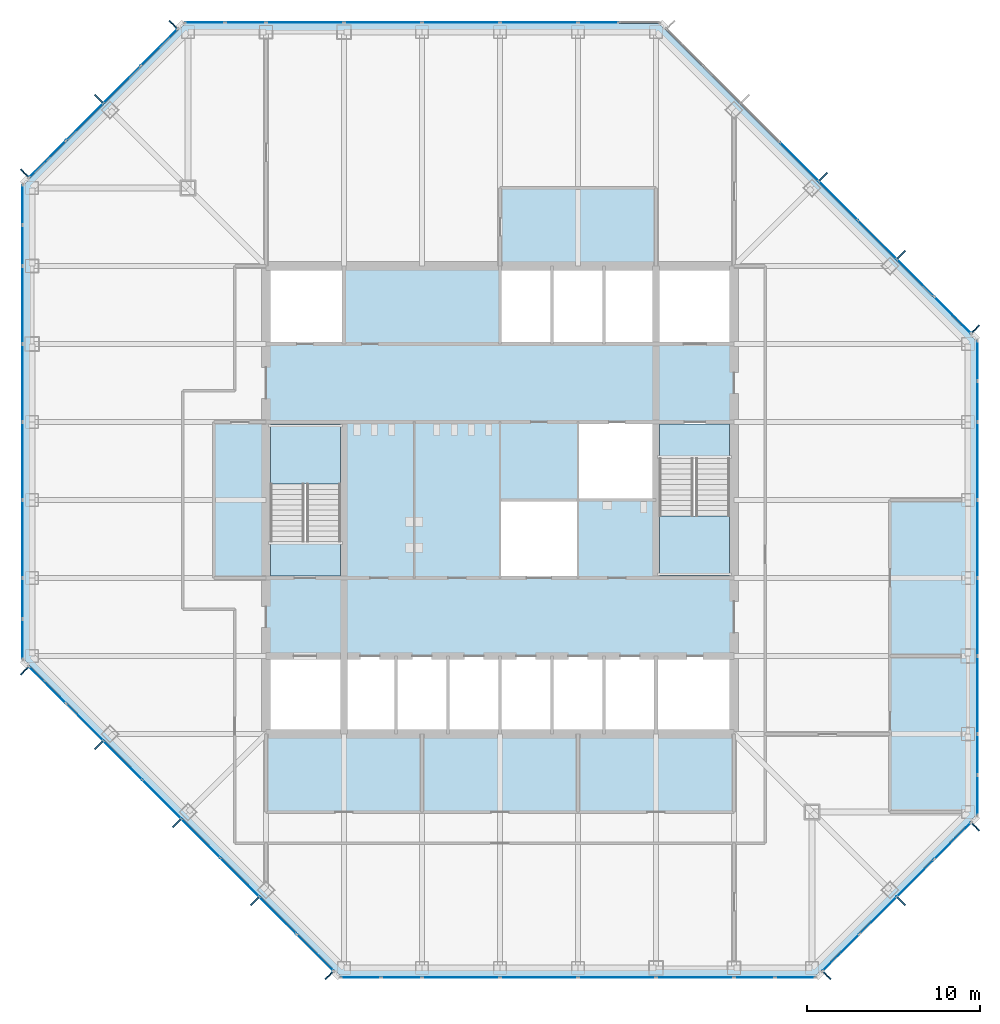
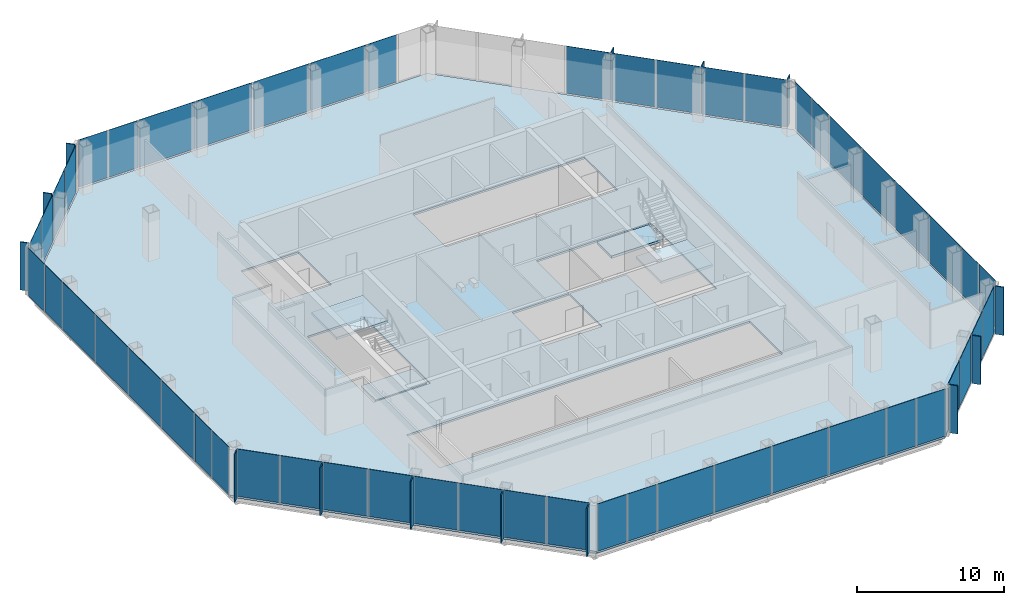
# One storey, part 7 of 12: 66 plates, 5 slabs, 10 elements without a shape of their own.
"""IFC4 building model written with IfcOpenShell, lengths in metres."""

from ifc_helpers import new_model, si_unit, direction, frame, origin, origin_2d, place, context, subcontext, project, spatial, polyline, rectangle, outline, extrude, material, layer, layer_set, type_object, element, aggregate, save


model = new_model("IFC4")

# Units and contexts
model_context = context("Model", 3, precision=1e-05, world=origin(), true_north=direction((0.0, 1.0)))
body_context = subcontext(model_context, "Body", "Model", "MODEL_VIEW")
ifc_project = project(units=[si_unit("LENGTHUNIT", "METRE"), si_unit("AREAUNIT", "SQUARE_METRE"), si_unit("VOLUMEUNIT", "CUBIC_METRE"), si_unit("PLANEANGLEUNIT", "RADIAN"), si_unit("MASSUNIT", "GRAM", prefix="KILO")], contexts=[model_context])

# Site, building, storey
site_placement = place(None, origin())
site = spatial("IfcSite", under=ifc_project, at=site_placement, CompositionType="ELEMENT")
building_placement = place(site_placement, origin())
building = spatial("IfcBuilding", under=site, at=building_placement, Name="Corais Broadcast Tower", CompositionType="ELEMENT")
storey_placement = place(building_placement, frame((0.0, 0.0, 139.60009765625)))
storey = spatial("IfcBuildingStorey", under=building, at=storey_placement, Name="L31", CompositionType="ELEMENT", Elevation=139.60009765625)

# Slab
ifc_material_1 = material(Name="Concrete C30/37", Category="concrete")
ifc_layer_1 = layer(ifc_material_1, 0.159912109375)
ifc_layer_set_1 = layer_set([ifc_layer_1], Name="Concrete C30/37")
slab_type_1 = type_object("IfcSlabType", Name="Composite floor slab 160", PredefinedType="FLOOR", material=ifc_layer_set_1)
slab_1_placement = place(storey_placement, frame((0.0, 0.0, -0.16015625)))
element("IfcSlab", 1, at=slab_1_placement, inside=storey, type_object=slab_type_1, Name="S160 floor slab L31", PredefinedType="FLOOR", context=body_context, shape_type="SweptSolid", body=[
    extrude(outline(polyline([(17.80126953125, -0.47998046875), (-0.47998046875, 17.80126953125), (-0.47998046875, 45.19873046875), (8.80126953125, 54.47998046875), (36.19873046875, 54.47998046875), (54.47998046875, 36.19873046875), (54.47998046875, 8.80126953125), (45.19873046875, -0.47998046875), (17.80126953125, -0.47998046875)]), holes=[polyline([(13.5, 18.0), (40.5, 18.0), (40.5, 13.5), (13.5, 13.5), (13.5, 18.0)]), polyline([(18.0, 22.5), (13.5, 22.5), (13.5, 31.5), (18.0, 31.5), (18.0, 22.5)]), polyline([(18.0, 36.0), (13.5, 36.0), (13.5, 40.5), (18.0, 40.5), (18.0, 36.0)]), polyline([(31.5, 22.5), (27.0, 22.5), (27.0, 27.0), (31.4951171875, 27.0), (31.4951171875, 27.0048828125), (31.5, 27.0048828125), (31.5, 31.5), (40.5, 31.5), (40.5, 22.5), (36.0, 22.5), (36.0, 27.0), (31.5048828125, 27.0), (31.5048828125, 26.9951171875), (31.5, 26.9951171875), (31.5, 22.5)]), polyline([(27.0, 40.5), (40.5, 40.5), (40.5, 36.0), (27.0, 36.0), (27.0, 40.5)])]), origin(), (0.0, 0.0, 1.0), 0.16015625),
])

# Curtain wall, plates
ifc_material_2 = material(Name="Aluminium and glass", Category="aluminium")
curtain_wall_type = type_object("IfcCurtainWallType", Name="Unitised fritted curtain wall CW2", PredefinedType="NOTDEFINED", material=ifc_material_2)
curtain_wall_1_placement = place(storey_placement, origin())
curtain_wall_1 = element("IfcCurtainWall", 2, at=curtain_wall_1_placement, inside=storey, type_object=curtain_wall_type, Name="CW2 curtain wall L31 1", PredefinedType="NOTDEFINED")
ifc_material_3 = material(Name="Ceramic-fritted laminated glass", Category="glass")
ifc_layer_2 = layer(ifc_material_3, 0.028076171875)
ifc_layer_set_2 = layer_set([ifc_layer_2], Name="Ceramic-fritted laminated glass")
plate_type_1 = type_object("IfcPlateType", Name="Fritted glass panel CW2", PredefinedType="CURTAIN_PANEL", material=ifc_layer_set_2)
plate_1_placement = place(storey_placement, frame((16.330322265625, 0.891845703125, 0.06494140625), z_axis=(0.0, 0.0, 1.0), x_axis=(-0.707106781187, 0.707106781187, 0.0)))
plate_1 = element("IfcPlate", 3, at=plate_1_placement, type_object=plate_type_1, Name="CW2 panel 1", PredefinedType="CURTAIN_PANEL", context=body_context, shape_type="SweptSolid", body=[
    extrude(rectangle(XDim=2.9482421875, YDim=0.028076171875, at=origin_2d()), origin(), (0.0, 0.0, 1.0), 3.93505859375),
])
plate_2_placement = place(storey_placement, frame((11.986083984375, 5.236083984375, 0.06494140625), z_axis=(0.0, 0.0, 1.0), x_axis=(-0.707106781187, 0.707106781187, 0.0)))
plate_2 = element("IfcPlate", 4, at=plate_2_placement, type_object=plate_type_1, Name="CW2 panel 3", PredefinedType="CURTAIN_PANEL", context=body_context, shape_type="SweptSolid", body=[
    extrude(rectangle(XDim=3.116943359375, YDim=0.028076171875, at=origin_2d()), origin(), (0.0, 0.0, 1.0), 3.93505859375),
])
plate_3_placement = place(storey_placement, frame((7.486083984375, 9.736083984375, 0.06494140625), z_axis=(0.0, 0.0, 1.0), x_axis=(-0.707106781187, 0.707106781187, 0.0)))
plate_3 = element("IfcPlate", 5, at=plate_3_placement, type_object=plate_type_1, Name="CW2 panel 5", PredefinedType="CURTAIN_PANEL", context=body_context, shape_type="SweptSolid", body=[
    extrude(rectangle(XDim=3.116943359375, YDim=0.028076171875, at=origin_2d()), origin(), (0.0, 0.0, 1.0), 3.93505859375),
])
plate_4_placement = place(storey_placement, frame((3.0341796875, 14.18798828125, 0.06494140625), z_axis=(0.0, 0.0, 1.0), x_axis=(-0.707106781187, 0.707106781187, 0.0)))
plate_4 = element("IfcPlate", 6, at=plate_4_placement, type_object=plate_type_1, Name="CW2 panel 7", PredefinedType="CURTAIN_PANEL", context=body_context, shape_type="SweptSolid", body=[
    extrude(rectangle(XDim=2.98095703125, YDim=0.028076171875, at=origin_2d()), origin(), (0.0, 0.0, 1.0), 3.93505859375),
])

curtain_wall_2_placement = place(storey_placement, origin())
curtain_wall_2 = element("IfcCurtainWall", 7, at=curtain_wall_2_placement, inside=storey, type_object=curtain_wall_type, Name="CW2 curtain wall L31 2", PredefinedType="NOTDEFINED")
plate_5_placement = place(storey_placement, frame((-0.550048828125, 18.970458984375, 0.06494140625), z_axis=(0.0, 0.0, 1.0), x_axis=(0.0, 1.0, 0.0)))
plate_5 = element("IfcPlate", 8, at=plate_5_placement, type_object=plate_type_1, Name="CW2 panel 1", PredefinedType="CURTAIN_PANEL", context=body_context, shape_type="SweptSolid", body=[
    extrude(rectangle(XDim=2.266357421875, YDim=0.028076171875, at=origin_2d()), origin(), (0.0, 0.0, 1.0), 3.93505859375),
])
plate_6_placement = place(storey_placement, frame((-0.550048828125, 24.75, 0.06494140625), z_axis=(0.0, 0.0, 1.0), x_axis=(0.0, 1.0, 0.0)))
plate_6 = element("IfcPlate", 9, at=plate_6_placement, type_object=plate_type_1, Name="CW2 panel 3", PredefinedType="CURTAIN_PANEL", context=body_context, shape_type="SweptSolid", body=[
    extrude(rectangle(XDim=4.43505859375, YDim=0.028076171875, at=origin_2d()), origin(), (0.0, 0.0, 1.0), 3.93505859375),
])
plate_7_placement = place(storey_placement, frame((-0.550048828125, 33.75, 0.06494140625), z_axis=(0.0, 0.0, 1.0), x_axis=(0.0, 1.0, 0.0)))
plate_7 = element("IfcPlate", 10, at=plate_7_placement, type_object=plate_type_1, Name="CW2 panel 5", PredefinedType="CURTAIN_PANEL", context=body_context, shape_type="SweptSolid", body=[
    extrude(rectangle(XDim=4.43505859375, YDim=0.028076171875, at=origin_2d()), origin(), (0.0, 0.0, 1.0), 3.93505859375),
])
plate_8_placement = place(storey_placement, frame((-0.550048828125, 41.681884765625, 0.06494140625), z_axis=(0.0, 0.0, 1.0), x_axis=(0.0, 1.0, 0.0)))
plate_8 = element("IfcPlate", 11, at=plate_8_placement, type_object=plate_type_1, Name="CW2 panel 7", PredefinedType="CURTAIN_PANEL", context=body_context, shape_type="SweptSolid", body=[
    extrude(rectangle(XDim=2.298828125, YDim=0.028076171875, at=origin_2d()), origin(), (0.0, 0.0, 1.0), 3.93505859375),
])

curtain_wall_3_placement = place(storey_placement, origin())
curtain_wall_3 = element("IfcCurtainWall", 12, at=curtain_wall_3_placement, inside=storey, type_object=curtain_wall_type, Name="CW2 curtain wall L31 3", PredefinedType="NOTDEFINED")
plate_9_placement = place(storey_placement, frame((0.891845703125, 46.669677734375, 0.06494140625), z_axis=(0.0, 0.0, 1.0), x_axis=(0.707106781187, 0.707106781187, 0.0)))
plate_9 = element("IfcPlate", 13, at=plate_9_placement, type_object=plate_type_1, Name="CW2 panel 1", PredefinedType="CURTAIN_PANEL", context=body_context, shape_type="SweptSolid", body=[
    extrude(rectangle(XDim=2.9482421875, YDim=0.028076171875, at=origin_2d()), origin(), (0.0, 0.0, 1.0), 3.93505859375),
])
plate_10_placement = place(storey_placement, frame((5.18798828125, 50.9658203125, 0.06494140625), z_axis=(0.0, 0.0, 1.0), x_axis=(0.707106781187, 0.707106781187, 0.0)))
plate_10 = element("IfcPlate", 14, at=plate_10_placement, type_object=plate_type_1, Name="CW2 panel 3", PredefinedType="CURTAIN_PANEL", context=body_context, shape_type="SweptSolid", body=[
    extrude(rectangle(XDim=2.98095703125, YDim=0.028076171875, at=origin_2d()), origin(), (0.0, 0.0, 1.0), 3.93505859375),
])

curtain_wall_4_placement = place(storey_placement, origin())
curtain_wall_4 = element("IfcCurtainWall", 15, at=curtain_wall_4_placement, inside=storey, type_object=curtain_wall_type, Name="CW2 curtain wall L31 4", PredefinedType="NOTDEFINED")
plate_11_placement = place(storey_placement, frame((9.970458984375, 54.550048828125, 0.06494140625), z_axis=(0.0, 0.0, 1.0), x_axis=(1.0, 0.0, 0.0)))
plate_11 = element("IfcPlate", 16, at=plate_11_placement, type_object=plate_type_1, Name="CW2 panel 1", PredefinedType="CURTAIN_PANEL", context=body_context, shape_type="SweptSolid", body=[
    extrude(rectangle(XDim=2.266357421875, YDim=0.028076171875, at=origin_2d()), origin(), (0.0, 0.0, 1.0), 3.93505859375),
])
plate_12_placement = place(storey_placement, frame((15.75, 54.550048828125, 0.06494140625), z_axis=(0.0, 0.0, 1.0), x_axis=(1.0, 0.0, 0.0)))
plate_12 = element("IfcPlate", 17, at=plate_12_placement, type_object=plate_type_1, Name="CW2 panel 3", PredefinedType="CURTAIN_PANEL", context=body_context, shape_type="SweptSolid", body=[
    extrude(rectangle(XDim=4.43505859375, YDim=0.028076171875, at=origin_2d()), origin(), (0.0, 0.0, 1.0), 3.93505859375),
])
plate_13_placement = place(storey_placement, frame((24.75, 54.550048828125, 0.06494140625), z_axis=(0.0, 0.0, 1.0), x_axis=(1.0, 0.0, 0.0)))
plate_13 = element("IfcPlate", 18, at=plate_13_placement, type_object=plate_type_1, Name="CW2 panel 5", PredefinedType="CURTAIN_PANEL", context=body_context, shape_type="SweptSolid", body=[
    extrude(rectangle(XDim=4.43505859375, YDim=0.028076171875, at=origin_2d()), origin(), (0.0, 0.0, 1.0), 3.93505859375),
])
plate_14_placement = place(storey_placement, frame((32.681884765625, 54.550048828125, 0.06494140625), z_axis=(0.0, 0.0, 1.0), x_axis=(1.0, 0.0, 0.0)))
plate_14 = element("IfcPlate", 19, at=plate_14_placement, type_object=plate_type_1, Name="CW2 panel 7", PredefinedType="CURTAIN_PANEL", context=body_context, shape_type="SweptSolid", body=[
    extrude(rectangle(XDim=2.298828125, YDim=0.028076171875, at=origin_2d()), origin(), (0.0, 0.0, 1.0), 3.93505859375),
])

curtain_wall_5_placement = place(storey_placement, origin())
curtain_wall_5 = element("IfcCurtainWall", 20, at=curtain_wall_5_placement, inside=storey, type_object=curtain_wall_type, Name="CW2 curtain wall L31 5", PredefinedType="NOTDEFINED")
plate_15_placement = place(storey_placement, frame((46.513916015625, 44.263916015625, 0.06494140625), z_axis=(0.0, 0.0, 1.0), x_axis=(0.707106781187, -0.707106781187, 0.0)))
plate_15 = element("IfcPlate", 21, at=plate_15_placement, type_object=plate_type_1, Name="CW2 panel 5", PredefinedType="CURTAIN_PANEL", context=body_context, shape_type="SweptSolid", body=[
    extrude(rectangle(XDim=3.116943359375, YDim=0.028076171875, at=origin_2d()), origin(), (0.0, 0.0, 1.0), 3.93505859375),
])
plate_16_placement = place(storey_placement, frame((50.9658203125, 39.81201171875, 0.06494140625), z_axis=(0.0, 0.0, 1.0), x_axis=(0.707106781187, -0.707106781187, 0.0)))
plate_16 = element("IfcPlate", 22, at=plate_16_placement, type_object=plate_type_1, Name="CW2 panel 7", PredefinedType="CURTAIN_PANEL", context=body_context, shape_type="SweptSolid", body=[
    extrude(rectangle(XDim=2.98095703125, YDim=0.028076171875, at=origin_2d()), origin(), (0.0, 0.0, 1.0), 3.93505859375),
])

curtain_wall_6_placement = place(storey_placement, origin())
curtain_wall_6 = element("IfcCurtainWall", 23, at=curtain_wall_6_placement, inside=storey, type_object=curtain_wall_type, Name="CW2 curtain wall L31 6", PredefinedType="NOTDEFINED")
plate_17_placement = place(storey_placement, frame((54.550048828125, 35.029541015625, 0.06494140625), z_axis=(0.0, 0.0, 1.0), x_axis=(0.0, -1.0, 0.0)))
plate_17 = element("IfcPlate", 24, at=plate_17_placement, type_object=plate_type_1, Name="CW2 panel 1", PredefinedType="CURTAIN_PANEL", context=body_context, shape_type="SweptSolid", body=[
    extrude(rectangle(XDim=2.266357421875, YDim=0.028076171875, at=origin_2d()), origin(), (0.0, 0.0, 1.0), 3.93505859375),
])
plate_18_placement = place(storey_placement, frame((54.550048828125, 29.25, 0.06494140625), z_axis=(0.0, 0.0, 1.0), x_axis=(0.0, -1.0, 0.0)))
plate_18 = element("IfcPlate", 25, at=plate_18_placement, type_object=plate_type_1, Name="CW2 panel 3", PredefinedType="CURTAIN_PANEL", context=body_context, shape_type="SweptSolid", body=[
    extrude(rectangle(XDim=4.43505859375, YDim=0.028076171875, at=origin_2d()), origin(), (0.0, 0.0, 1.0), 3.93505859375),
])
plate_19_placement = place(storey_placement, frame((54.550048828125, 20.25, 0.06494140625), z_axis=(0.0, 0.0, 1.0), x_axis=(0.0, -1.0, 0.0)))
plate_19 = element("IfcPlate", 26, at=plate_19_placement, type_object=plate_type_1, Name="CW2 panel 5", PredefinedType="CURTAIN_PANEL", context=body_context, shape_type="SweptSolid", body=[
    extrude(rectangle(XDim=4.43505859375, YDim=0.028076171875, at=origin_2d()), origin(), (0.0, 0.0, 1.0), 3.93505859375),
])
plate_20_placement = place(storey_placement, frame((54.550048828125, 12.318115234375, 0.06494140625), z_axis=(0.0, 0.0, 1.0), x_axis=(0.0, -1.0, 0.0)))
plate_20 = element("IfcPlate", 27, at=plate_20_placement, type_object=plate_type_1, Name="CW2 panel 7", PredefinedType="CURTAIN_PANEL", context=body_context, shape_type="SweptSolid", body=[
    extrude(rectangle(XDim=2.298828125, YDim=0.028076171875, at=origin_2d()), origin(), (0.0, 0.0, 1.0), 3.93505859375),
])

curtain_wall_7_placement = place(storey_placement, origin())
curtain_wall_7 = element("IfcCurtainWall", 28, at=curtain_wall_7_placement, inside=storey, type_object=curtain_wall_type, Name="CW2 curtain wall L31 7", PredefinedType="NOTDEFINED")
plate_21_placement = place(storey_placement, frame((53.108154296875, 7.330322265625, 0.06494140625), z_axis=(0.0, 0.0, 1.0), x_axis=(-0.707106781187, -0.707106781187, 0.0)))
plate_21 = element("IfcPlate", 29, at=plate_21_placement, type_object=plate_type_1, Name="CW2 panel 1", PredefinedType="CURTAIN_PANEL", context=body_context, shape_type="SweptSolid", body=[
    extrude(rectangle(XDim=2.9482421875, YDim=0.028076171875, at=origin_2d()), origin(), (0.0, 0.0, 1.0), 3.93505859375),
])
plate_22_placement = place(storey_placement, frame((48.81201171875, 3.0341796875, 0.06494140625), z_axis=(0.0, 0.0, 1.0), x_axis=(-0.707106781187, -0.707106781187, 0.0)))
plate_22 = element("IfcPlate", 30, at=plate_22_placement, type_object=plate_type_1, Name="CW2 panel 3", PredefinedType="CURTAIN_PANEL", context=body_context, shape_type="SweptSolid", body=[
    extrude(rectangle(XDim=2.98095703125, YDim=0.028076171875, at=origin_2d()), origin(), (0.0, 0.0, 1.0), 3.93505859375),
])

curtain_wall_8_placement = place(storey_placement, origin())
curtain_wall_8 = element("IfcCurtainWall", 31, at=curtain_wall_8_placement, inside=storey, type_object=curtain_wall_type, Name="CW2 curtain wall L31 8", PredefinedType="NOTDEFINED")
plate_23_placement = place(storey_placement, frame((44.029541015625, -0.550048828125, 0.06494140625), z_axis=(0.0, 0.0, 1.0), x_axis=(-1.0, 0.0, 0.0)))
plate_23 = element("IfcPlate", 32, at=plate_23_placement, type_object=plate_type_1, Name="CW2 panel 1", PredefinedType="CURTAIN_PANEL", context=body_context, shape_type="SweptSolid", body=[
    extrude(rectangle(XDim=2.266357421875, YDim=0.028076171875, at=origin_2d()), origin(), (0.0, 0.0, 1.0), 3.93505859375),
])
plate_24_placement = place(storey_placement, frame((38.25, -0.550048828125, 0.06494140625), z_axis=(0.0, 0.0, 1.0), x_axis=(-1.0, 0.0, 0.0)))
plate_24 = element("IfcPlate", 33, at=plate_24_placement, type_object=plate_type_1, Name="CW2 panel 3", PredefinedType="CURTAIN_PANEL", context=body_context, shape_type="SweptSolid", body=[
    extrude(rectangle(XDim=4.43505859375, YDim=0.028076171875, at=origin_2d()), origin(), (0.0, 0.0, 1.0), 3.93505859375),
])
plate_25_placement = place(storey_placement, frame((29.25, -0.550048828125, 0.06494140625), z_axis=(0.0, 0.0, 1.0), x_axis=(-1.0, 0.0, 0.0)))
plate_25 = element("IfcPlate", 34, at=plate_25_placement, type_object=plate_type_1, Name="CW2 panel 5", PredefinedType="CURTAIN_PANEL", context=body_context, shape_type="SweptSolid", body=[
    extrude(rectangle(XDim=4.43505859375, YDim=0.028076171875, at=origin_2d()), origin(), (0.0, 0.0, 1.0), 3.93505859375),
])
plate_26_placement = place(storey_placement, frame((21.318115234375, -0.550048828125, 0.06494140625), z_axis=(0.0, 0.0, 1.0), x_axis=(-1.0, 0.0, 0.0)))
plate_26 = element("IfcPlate", 35, at=plate_26_placement, type_object=plate_type_1, Name="CW2 panel 7", PredefinedType="CURTAIN_PANEL", context=body_context, shape_type="SweptSolid", body=[
    extrude(rectangle(XDim=2.298828125, YDim=0.028076171875, at=origin_2d()), origin(), (0.0, 0.0, 1.0), 3.93505859375),
])

# Plate
ifc_material_4 = material(Name="Clear laminated glass", Category="glass")
ifc_layer_3 = layer(ifc_material_4, 0.031982421875)
ifc_layer_set_3 = layer_set([ifc_layer_3], Name="Clear laminated glass")
plate_type_2 = type_object("IfcPlateType", Name="Operable glass panel CW2", PredefinedType="CURTAIN_PANEL", material=ifc_layer_set_3)
plate_27_placement = place(storey_placement, frame((14.18798828125, 3.0341796875, 0.06494140625), z_axis=(0.0, 0.0, 1.0), x_axis=(-0.707106781187, 0.707106781187, 0.0)))
plate_27 = element("IfcPlate", 36, at=plate_27_placement, type_object=plate_type_2, Name="CW2 operable panel 2", PredefinedType="CURTAIN_PANEL", context=body_context, shape_type="SweptSolid", body=[
    extrude(rectangle(XDim=2.98095703125, YDim=0.031982421875, at=origin_2d()), origin(), (0.0, 0.0, 1.0), 3.93505859375),
])

plate_28_placement = place(storey_placement, frame((9.736083984375, 7.486083984375, 0.06494140625), z_axis=(0.0, 0.0, 1.0), x_axis=(-0.707106781187, 0.707106781187, 0.0)))
plate_28 = element("IfcPlate", 37, at=plate_28_placement, type_object=plate_type_2, Name="CW2 operable panel 4", PredefinedType="CURTAIN_PANEL", context=body_context, shape_type="SweptSolid", body=[
    extrude(rectangle(XDim=3.116943359375, YDim=0.031982421875, at=origin_2d()), origin(), (0.0, 0.0, 1.0), 3.93505859375),
])

plate_29_placement = place(storey_placement, frame((5.236083984375, 11.986083984375, 0.06494140625), z_axis=(0.0, 0.0, 1.0), x_axis=(-0.707106781187, 0.707106781187, 0.0)))
plate_29 = element("IfcPlate", 38, at=plate_29_placement, type_object=plate_type_2, Name="CW2 operable panel 6", PredefinedType="CURTAIN_PANEL", context=body_context, shape_type="SweptSolid", body=[
    extrude(rectangle(XDim=3.116943359375, YDim=0.031982421875, at=origin_2d()), origin(), (0.0, 0.0, 1.0), 3.93505859375),
])

plate_30_placement = place(storey_placement, frame((0.89208984375, 16.330322265625, 0.06494140625), z_axis=(0.0, 0.0, 1.0), x_axis=(-0.707106781187, 0.707106781187, 0.0)))
plate_30 = element("IfcPlate", 39, at=plate_30_placement, type_object=plate_type_2, Name="CW2 operable panel 8", PredefinedType="CURTAIN_PANEL", context=body_context, shape_type="SweptSolid", body=[
    extrude(rectangle(XDim=2.948486328125, YDim=0.031982421875, at=origin_2d()), origin(), (0.0, 0.0, 1.0), 3.93505859375),
])

aggregate(curtain_wall_1, [plate_1, plate_27, plate_2, plate_28, plate_3, plate_29, plate_4, plate_30])

plate_31_placement = place(storey_placement, frame((-0.550048828125, 21.318115234375, 0.06494140625), z_axis=(0.0, 0.0, 1.0), x_axis=(0.0, 1.0, 0.0)))
plate_31 = element("IfcPlate", 40, at=plate_31_placement, type_object=plate_type_2, Name="CW2 operable panel 2", PredefinedType="CURTAIN_PANEL", context=body_context, shape_type="SweptSolid", body=[
    extrude(rectangle(XDim=2.298828125, YDim=0.031982421875, at=origin_2d()), origin(), (0.0, 0.0, 1.0), 3.93505859375),
])

plate_32_placement = place(storey_placement, frame((-0.550048828125, 29.25, 0.06494140625), z_axis=(0.0, 0.0, 1.0), x_axis=(0.0, 1.0, 0.0)))
plate_32 = element("IfcPlate", 41, at=plate_32_placement, type_object=plate_type_2, Name="CW2 operable panel 4", PredefinedType="CURTAIN_PANEL", context=body_context, shape_type="SweptSolid", body=[
    extrude(rectangle(XDim=4.43505859375, YDim=0.031982421875, at=origin_2d()), origin(), (0.0, 0.0, 1.0), 3.93505859375),
])

plate_33_placement = place(storey_placement, frame((-0.550048828125, 38.25, 0.06494140625), z_axis=(0.0, 0.0, 1.0), x_axis=(0.0, 1.0, 0.0)))
plate_33 = element("IfcPlate", 42, at=plate_33_placement, type_object=plate_type_2, Name="CW2 operable panel 6", PredefinedType="CURTAIN_PANEL", context=body_context, shape_type="SweptSolid", body=[
    extrude(rectangle(XDim=4.43505859375, YDim=0.031982421875, at=origin_2d()), origin(), (0.0, 0.0, 1.0), 3.93505859375),
])

plate_34_placement = place(storey_placement, frame((-0.550048828125, 44.029541015625, 0.06494140625), z_axis=(0.0, 0.0, 1.0), x_axis=(0.0, 1.0, 0.0)))
plate_34 = element("IfcPlate", 43, at=plate_34_placement, type_object=plate_type_2, Name="CW2 operable panel 8", PredefinedType="CURTAIN_PANEL", context=body_context, shape_type="SweptSolid", body=[
    extrude(rectangle(XDim=2.266357421875, YDim=0.031982421875, at=origin_2d()), origin(), (0.0, 0.0, 1.0), 3.93505859375),
])

aggregate(curtain_wall_2, [plate_5, plate_31, plate_6, plate_32, plate_7, plate_33, plate_8, plate_34])

plate_35_placement = place(storey_placement, frame((3.0341796875, 48.81201171875, 0.06494140625), z_axis=(0.0, 0.0, 1.0), x_axis=(0.707106781187, 0.707106781187, 0.0)))
plate_35 = element("IfcPlate", 44, at=plate_35_placement, type_object=plate_type_2, Name="CW2 operable panel 2", PredefinedType="CURTAIN_PANEL", context=body_context, shape_type="SweptSolid", body=[
    extrude(rectangle(XDim=2.98095703125, YDim=0.031982421875, at=origin_2d()), origin(), (0.0, 0.0, 1.0), 3.93505859375),
])

plate_36_placement = place(storey_placement, frame((7.330322265625, 53.10791015625, 0.06494140625), z_axis=(0.0, 0.0, 1.0), x_axis=(0.707106781187, 0.707106781187, 0.0)))
plate_36 = element("IfcPlate", 45, at=plate_36_placement, type_object=plate_type_2, Name="CW2 operable panel 4", PredefinedType="CURTAIN_PANEL", context=body_context, shape_type="SweptSolid", body=[
    extrude(rectangle(XDim=2.948486328125, YDim=0.031982421875, at=origin_2d()), origin(), (0.0, 0.0, 1.0), 3.93505859375),
])

aggregate(curtain_wall_3, [plate_9, plate_35, plate_10, plate_36])

plate_37_placement = place(storey_placement, frame((12.318115234375, 54.550048828125, 0.06494140625), z_axis=(0.0, 0.0, 1.0), x_axis=(1.0, 0.0, 0.0)))
plate_37 = element("IfcPlate", 46, at=plate_37_placement, type_object=plate_type_2, Name="CW2 operable panel 2", PredefinedType="CURTAIN_PANEL", context=body_context, shape_type="SweptSolid", body=[
    extrude(rectangle(XDim=2.298828125, YDim=0.031982421875, at=origin_2d()), origin(), (0.0, 0.0, 1.0), 3.93505859375),
])

plate_38_placement = place(storey_placement, frame((20.25, 54.550048828125, 0.06494140625), z_axis=(0.0, 0.0, 1.0), x_axis=(1.0, 0.0, 0.0)))
plate_38 = element("IfcPlate", 47, at=plate_38_placement, type_object=plate_type_2, Name="CW2 operable panel 4", PredefinedType="CURTAIN_PANEL", context=body_context, shape_type="SweptSolid", body=[
    extrude(rectangle(XDim=4.43505859375, YDim=0.031982421875, at=origin_2d()), origin(), (0.0, 0.0, 1.0), 3.93505859375),
])

plate_39_placement = place(storey_placement, frame((29.25, 54.550048828125, 0.06494140625), z_axis=(0.0, 0.0, 1.0), x_axis=(1.0, 0.0, 0.0)))
plate_39 = element("IfcPlate", 48, at=plate_39_placement, type_object=plate_type_2, Name="CW2 operable panel 6", PredefinedType="CURTAIN_PANEL", context=body_context, shape_type="SweptSolid", body=[
    extrude(rectangle(XDim=4.43505859375, YDim=0.031982421875, at=origin_2d()), origin(), (0.0, 0.0, 1.0), 3.93505859375),
])

aggregate(curtain_wall_4, [plate_11, plate_37, plate_12, plate_38, plate_13, plate_39, plate_14])

plate_40_placement = place(storey_placement, frame((44.263916015625, 46.513916015625, 0.06494140625), z_axis=(0.0, 0.0, 1.0), x_axis=(0.707106781187, -0.707106781187, 0.0)))
plate_40 = element("IfcPlate", 49, at=plate_40_placement, type_object=plate_type_2, Name="CW2 operable panel 4", PredefinedType="CURTAIN_PANEL", context=body_context, shape_type="SweptSolid", body=[
    extrude(rectangle(XDim=3.116943359375, YDim=0.031982421875, at=origin_2d()), origin(), (0.0, 0.0, 1.0), 3.93505859375),
])

plate_41_placement = place(storey_placement, frame((48.763916015625, 42.013916015625, 0.06494140625), z_axis=(0.0, 0.0, 1.0), x_axis=(0.707106781187, -0.707106781187, 0.0)))
plate_41 = element("IfcPlate", 50, at=plate_41_placement, type_object=plate_type_2, Name="CW2 operable panel 6", PredefinedType="CURTAIN_PANEL", context=body_context, shape_type="SweptSolid", body=[
    extrude(rectangle(XDim=3.116943359375, YDim=0.031982421875, at=origin_2d()), origin(), (0.0, 0.0, 1.0), 3.93505859375),
])

plate_42_placement = place(storey_placement, frame((53.10791015625, 37.669677734375, 0.06494140625), z_axis=(0.0, 0.0, 1.0), x_axis=(0.707106781187, -0.707106781187, 0.0)))
plate_42 = element("IfcPlate", 51, at=plate_42_placement, type_object=plate_type_2, Name="CW2 operable panel 8", PredefinedType="CURTAIN_PANEL", context=body_context, shape_type="SweptSolid", body=[
    extrude(rectangle(XDim=2.948486328125, YDim=0.031982421875, at=origin_2d()), origin(), (0.0, 0.0, 1.0), 3.93505859375),
])

aggregate(curtain_wall_5, [plate_40, plate_15, plate_41, plate_16, plate_42])

plate_43_placement = place(storey_placement, frame((54.550048828125, 32.681884765625, 0.06494140625), z_axis=(0.0, 0.0, 1.0), x_axis=(0.0, -1.0, 0.0)))
plate_43 = element("IfcPlate", 52, at=plate_43_placement, type_object=plate_type_2, Name="CW2 operable panel 2", PredefinedType="CURTAIN_PANEL", context=body_context, shape_type="SweptSolid", body=[
    extrude(rectangle(XDim=2.298828125, YDim=0.031982421875, at=origin_2d()), origin(), (0.0, 0.0, 1.0), 3.93505859375),
])

plate_44_placement = place(storey_placement, frame((54.550048828125, 24.75, 0.06494140625), z_axis=(0.0, 0.0, 1.0), x_axis=(0.0, -1.0, 0.0)))
plate_44 = element("IfcPlate", 53, at=plate_44_placement, type_object=plate_type_2, Name="CW2 operable panel 4", PredefinedType="CURTAIN_PANEL", context=body_context, shape_type="SweptSolid", body=[
    extrude(rectangle(XDim=4.43505859375, YDim=0.031982421875, at=origin_2d()), origin(), (0.0, 0.0, 1.0), 3.93505859375),
])

plate_45_placement = place(storey_placement, frame((54.550048828125, 15.75, 0.06494140625), z_axis=(0.0, 0.0, 1.0), x_axis=(0.0, -1.0, 0.0)))
plate_45 = element("IfcPlate", 54, at=plate_45_placement, type_object=plate_type_2, Name="CW2 operable panel 6", PredefinedType="CURTAIN_PANEL", context=body_context, shape_type="SweptSolid", body=[
    extrude(rectangle(XDim=4.43505859375, YDim=0.031982421875, at=origin_2d()), origin(), (0.0, 0.0, 1.0), 3.93505859375),
])

plate_46_placement = place(storey_placement, frame((54.550048828125, 9.970458984375, 0.06494140625), z_axis=(0.0, 0.0, 1.0), x_axis=(0.0, -1.0, 0.0)))
plate_46 = element("IfcPlate", 55, at=plate_46_placement, type_object=plate_type_2, Name="CW2 operable panel 8", PredefinedType="CURTAIN_PANEL", context=body_context, shape_type="SweptSolid", body=[
    extrude(rectangle(XDim=2.266357421875, YDim=0.031982421875, at=origin_2d()), origin(), (0.0, 0.0, 1.0), 3.93505859375),
])

aggregate(curtain_wall_6, [plate_17, plate_43, plate_18, plate_44, plate_19, plate_45, plate_20, plate_46])

plate_47_placement = place(storey_placement, frame((50.9658203125, 5.18798828125, 0.06494140625), z_axis=(0.0, 0.0, 1.0), x_axis=(-0.707106781187, -0.707106781187, 0.0)))
plate_47 = element("IfcPlate", 56, at=plate_47_placement, type_object=plate_type_2, Name="CW2 operable panel 2", PredefinedType="CURTAIN_PANEL", context=body_context, shape_type="SweptSolid", body=[
    extrude(rectangle(XDim=2.98095703125, YDim=0.031982421875, at=origin_2d()), origin(), (0.0, 0.0, 1.0), 3.93505859375),
])

plate_48_placement = place(storey_placement, frame((46.669677734375, 0.89208984375, 0.06494140625), z_axis=(0.0, 0.0, 1.0), x_axis=(-0.707106781187, -0.707106781187, 0.0)))
plate_48 = element("IfcPlate", 57, at=plate_48_placement, type_object=plate_type_2, Name="CW2 operable panel 4", PredefinedType="CURTAIN_PANEL", context=body_context, shape_type="SweptSolid", body=[
    extrude(rectangle(XDim=2.948486328125, YDim=0.031982421875, at=origin_2d()), origin(), (0.0, 0.0, 1.0), 3.93505859375),
])

aggregate(curtain_wall_7, [plate_21, plate_47, plate_22, plate_48])

plate_49_placement = place(storey_placement, frame((41.681884765625, -0.550048828125, 0.06494140625), z_axis=(0.0, 0.0, 1.0), x_axis=(-1.0, 0.0, 0.0)))
plate_49 = element("IfcPlate", 58, at=plate_49_placement, type_object=plate_type_2, Name="CW2 operable panel 2", PredefinedType="CURTAIN_PANEL", context=body_context, shape_type="SweptSolid", body=[
    extrude(rectangle(XDim=2.298828125, YDim=0.031982421875, at=origin_2d()), origin(), (0.0, 0.0, 1.0), 3.93505859375),
])

plate_50_placement = place(storey_placement, frame((33.75, -0.550048828125, 0.06494140625), z_axis=(0.0, 0.0, 1.0), x_axis=(-1.0, 0.0, 0.0)))
plate_50 = element("IfcPlate", 59, at=plate_50_placement, type_object=plate_type_2, Name="CW2 operable panel 4", PredefinedType="CURTAIN_PANEL", context=body_context, shape_type="SweptSolid", body=[
    extrude(rectangle(XDim=4.43505859375, YDim=0.031982421875, at=origin_2d()), origin(), (0.0, 0.0, 1.0), 3.93505859375),
])

plate_51_placement = place(storey_placement, frame((24.75, -0.550048828125, 0.06494140625), z_axis=(0.0, 0.0, 1.0), x_axis=(-1.0, 0.0, 0.0)))
plate_51 = element("IfcPlate", 60, at=plate_51_placement, type_object=plate_type_2, Name="CW2 operable panel 6", PredefinedType="CURTAIN_PANEL", context=body_context, shape_type="SweptSolid", body=[
    extrude(rectangle(XDim=4.43505859375, YDim=0.031982421875, at=origin_2d()), origin(), (0.0, 0.0, 1.0), 3.93505859375),
])

plate_52_placement = place(storey_placement, frame((18.970458984375, -0.550048828125, 0.06494140625), z_axis=(0.0, 0.0, 1.0), x_axis=(-1.0, 0.0, 0.0)))
plate_52 = element("IfcPlate", 61, at=plate_52_placement, type_object=plate_type_2, Name="CW2 operable panel 8", PredefinedType="CURTAIN_PANEL", context=body_context, shape_type="SweptSolid", body=[
    extrude(rectangle(XDim=2.266357421875, YDim=0.031982421875, at=origin_2d()), origin(), (0.0, 0.0, 1.0), 3.93505859375),
])

aggregate(curtain_wall_8, [plate_23, plate_49, plate_24, plate_50, plate_25, plate_51, plate_26, plate_52])

# Stair, slabs
ifc_material_5 = material(Name="Concrete C30/37", Category="concrete")
stair_type = type_object("IfcStairType", Name="Half-turn stair 4000", PredefinedType="HALF_TURN_STAIR", material=ifc_material_5)
stair_1_placement = place(storey_placement, origin())
stair_1 = element("IfcStair", 62, at=stair_1_placement, inside=storey, type_object=stair_type, Name="Stair A L31", PredefinedType="HALF_TURN_STAIR")
ifc_material_6 = material(Name="Concrete C30/37", Category="concrete")
ifc_layer_4 = layer(ifc_material_6, 0.199951171875)
ifc_layer_set_4 = layer_set([ifc_layer_4], Name="Concrete C30/37")
slab_type_2 = type_object("IfcSlabType", Name="Stair landing 200", PredefinedType="LANDING", material=ifc_layer_set_4)
slab_2_placement = place(storey_placement, frame((0.0, 0.0, -0.2001953125)))
slab_2 = element("IfcSlab", 63, at=slab_2_placement, type_object=slab_type_2, Name="STA landing 1", PredefinedType="LANDING", context=body_context, shape_type="SweptSolid", body=[
    extrude(outline(polyline([(13.75, 22.625), (17.800048828125, 22.625), (17.800048828125, 24.60009765625), (13.75, 24.60009765625), (13.75, 22.625)])), origin(), (0.0, 0.0, 1.0), 0.2001953125),
])
slab_3_placement = place(storey_placement, frame((0.0, 0.0, 1.7998046875)))
slab_3 = element("IfcSlab", 64, at=slab_3_placement, type_object=slab_type_2, Name="STA landing 2", PredefinedType="LANDING", context=body_context, shape_type="SweptSolid", body=[
    extrude(outline(polyline([(13.75, 27.922119140625), (17.800048828125, 27.922119140625), (17.800048828125, 31.375), (13.75, 31.375), (13.75, 27.922119140625)])), origin(), (0.0, 0.0, 1.0), 0.2001953125),
])
aggregate(stair_1, [slab_2, slab_3])

stair_2_placement = place(storey_placement, origin())
stair_2 = element("IfcStair", 65, at=stair_2_placement, inside=storey, type_object=stair_type, Name="Stair B L31", PredefinedType="HALF_TURN_STAIR")
slab_4_placement = place(storey_placement, frame((0.0, 0.0, -0.2001953125)))
slab_4 = element("IfcSlab", 66, at=slab_4_placement, type_object=slab_type_2, Name="STB landing 1", PredefinedType="LANDING", context=body_context, shape_type="SweptSolid", body=[
    extrude(outline(polyline([(36.199951171875, 29.39990234375), (40.25, 29.39990234375), (40.25, 31.375), (36.199951171875, 31.375), (36.199951171875, 29.39990234375)])), origin(), (0.0, 0.0, 1.0), 0.2001953125),
])
slab_5_placement = place(storey_placement, frame((0.0, 0.0, 1.7998046875)))
slab_5 = element("IfcSlab", 67, at=slab_5_placement, type_object=slab_type_2, Name="STB landing 2", PredefinedType="LANDING", context=body_context, shape_type="SweptSolid", body=[
    extrude(outline(polyline([(36.199951171875, 22.625), (40.25, 22.625), (40.25, 26.077880859375), (36.199951171875, 26.077880859375), (36.199951171875, 22.625)])), origin(), (0.0, 0.0, 1.0), 0.2001953125),
])
aggregate(stair_2, [slab_4, slab_5])

# Plates
ifc_material_7 = material(Name="Granite stone cladding", Category="masonry")
ifc_layer_5 = layer(ifc_material_7, 0.080078125)
ifc_layer_set_5 = layer_set([ifc_layer_5], Name="Granite stone cladding")
plate_type_3 = type_object("IfcPlateType", Name="Stone screen fin 80x600", PredefinedType="USERDEFINED", material=ifc_layer_set_5)
for number, where, z_axis, x_axis, name in (
    (68, (17.1220703125, -0.447021484375, 0.0), (0.0, 0.0, 1.0), (-0.707106781187, 0.707106781187, 0.0), "SF1 stone screen fin L31"),
    (69, (12.83740234375, 3.83740234375, 0.0), (0.0, 0.0, 1.0), (-0.707106781187, 0.707106781187, 0.0), "SF1 stone screen fin L31"),
    (70, (8.33740234375, 8.33740234375, 0.0), (0.0, 0.0, 1.0), (-0.707106781187, 0.707106781187, 0.0), "SF1 stone screen fin L31"),
    (71, (3.83740234375, 12.83740234375, 0.0), (0.0, 0.0, 1.0), (-0.707106781187, 0.707106781187, 0.0), "SF1 stone screen fin L31"),
    (72, (-0.447021484375, 17.1220703125, 0.0), (0.0, 0.0, 1.0), (-0.707106781187, 0.707106781187, 0.0), "SF1 stone screen fin L31"),
    (73, (-0.447021484375, 45.8779296875, 0.0), (0.0, 0.0, 1.0), (0.707106781187, 0.707106781187, 0.0), "SF1 stone screen fin L31"),
    (74, (3.83740234375, 50.16259765625, 0.0), (0.0, 0.0, 1.0), (0.707106781187, 0.707106781187, 0.0), "SF1 stone screen fin L31"),
    (75, (8.1220703125, 54.447021484375, 0.0), (0.0, 0.0, 1.0), (0.707106781187, 0.707106781187, 0.0), "SF1 stone screen fin L31"),
    (76, (45.66259765625, 45.66259765625, 0.0), (0.0, 0.0, 1.0), (0.707106781187, -0.707106781187, 0.0), "SF1 stone screen fin L31"),
    (77, (50.16259765625, 41.16259765625, 0.0), (0.0, 0.0, 1.0), (0.707106781187, -0.707106781187, 0.0), "SF1 stone screen fin L31"),
    (78, (54.447021484375, 36.8779296875, 0.0), (0.0, 0.0, 1.0), (0.707106781187, -0.707106781187, 0.0), "SF1 stone screen fin L31"),
    (79, (54.447021484375, 8.1220703125, 0.0), (0.0, 0.0, 1.0), (-0.707106781187, -0.707106781187, 0.0), "SF1 stone screen fin L31"),
    (80, (50.16259765625, 3.83740234375, 0.0), (0.0, 0.0, 1.0), (-0.707106781187, -0.707106781187, 0.0), "SF1 stone screen fin L31"),
    (81, (45.8779296875, -0.447021484375, 0.0), (0.0, 0.0, 1.0), (-0.707106781187, -0.707106781187, 0.0), "SF1 stone screen fin L31"),
):
    element("IfcPlate", number, at=place(storey_placement, frame(where, z_axis=z_axis, x_axis=x_axis)), inside=storey, type_object=plate_type_3, Name=name, ObjectType="STONE SCREEN FIN", PredefinedType="USERDEFINED", context=body_context, shape_type="SweptSolid", body=[
        extrude(rectangle(XDim=0.080078125, YDim=0.60009765625, at=origin_2d()), origin(), (0.0, 0.0, 1.0), 4.0),
    ])

save(model, "model.ifc")
